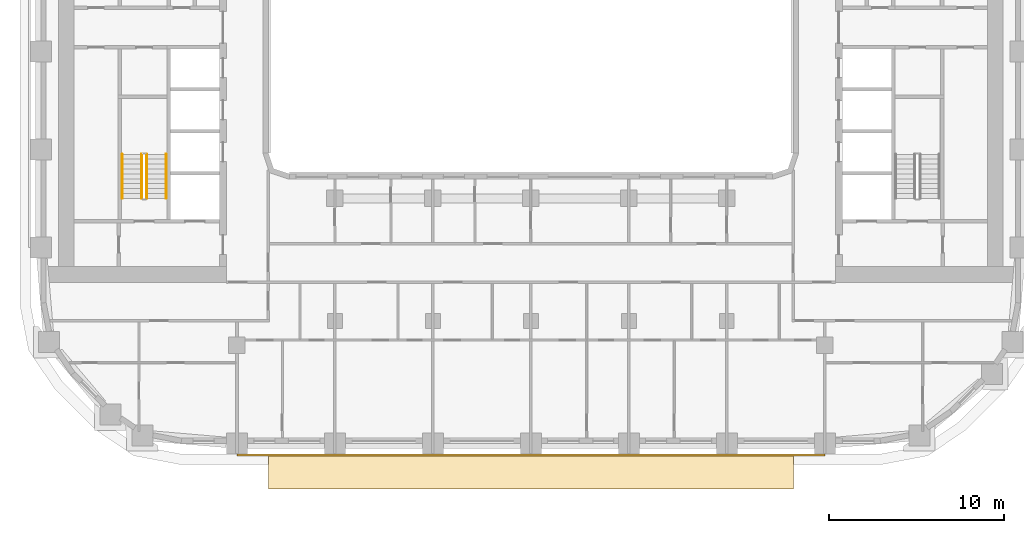
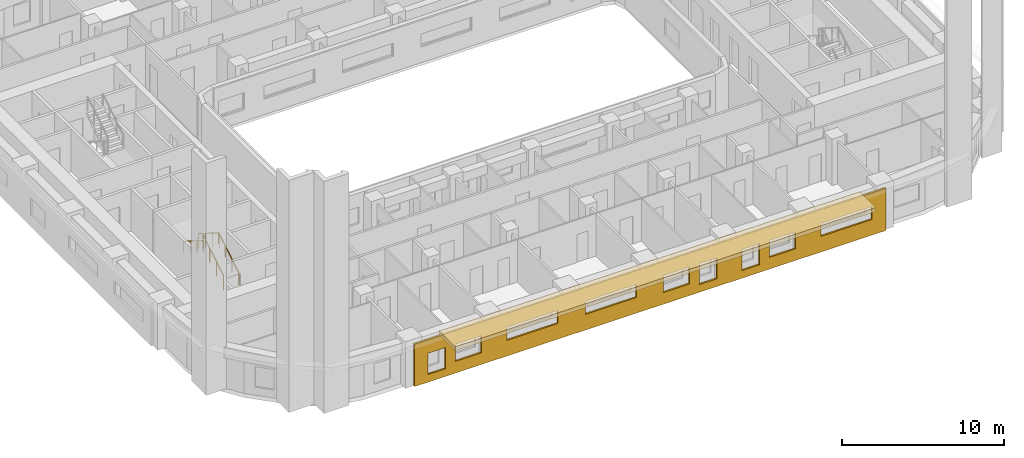
# One storey, part 13 of 23: 4 railings, 2 coverings.
"""IFC4 building model written with IfcOpenShell, lengths in metres."""

from ifc_helpers import new_model, si_unit, direction, frame, origin, origin_2d, place, context, subcontext, project, spatial, polyline, circle, outline, extrude, material, layer, layer_set, type_object, element, save


model = new_model("IFC4")

# Units and contexts
model_context = context("Model", 3, precision=1e-05, world=origin(), true_north=direction((0.0, 1.0)))
body_context = subcontext(model_context, "Body", "Model", "MODEL_VIEW")
ifc_project = project(units=[si_unit("LENGTHUNIT", "METRE"), si_unit("AREAUNIT", "SQUARE_METRE"), si_unit("VOLUMEUNIT", "CUBIC_METRE"), si_unit("PLANEANGLEUNIT", "RADIAN"), si_unit("MASSUNIT", "GRAM", prefix="KILO")], contexts=[model_context])

# Site, building, storey
site_placement = place(None, origin())
site = spatial("IfcSite", under=ifc_project, at=site_placement, CompositionType="ELEMENT")
building_placement = place(site_placement, origin())
building = spatial("IfcBuilding", under=site, at=building_placement, Name="Kiln Ring Residences", CompositionType="ELEMENT")
storey_placement = place(building_placement, frame((0.0, 0.0, 107.800048828125)))
storey = spatial("IfcBuildingStorey", under=building, at=storey_placement, Name="L27", CompositionType="ELEMENT", Elevation=107.800048828125)

# Railings
ifc_material_1 = material(Name="Stainless steel", Category="steel")
railing_type_1 = type_object("IfcRailingType", Name="CORE-STAIR-GUARD", PredefinedType="GUARDRAIL", material=ifc_material_1)
railing_1_placement = place(storey_placement, frame((-21.949951171875, -8.39990234375, 0.175048828125)))
element("IfcRailing", 1, at=railing_1_placement, inside=storey, type_object=railing_type_1, Name="L27 W-STS stair guard 1", PredefinedType="GUARDRAIL", context=body_context, shape_type="SweptSolid", body=[
    extrude(circle(Radius=0.02392578125, at=origin_2d()), frame((0.0, 0.0, 1.076171875), z_axis=(0.0, 0.848007534815, 0.529984170421), x_axis=(-1.0, 0.0, 0.0)), (0.0, 0.0, 1.0), 2.9716796875),
    extrude(circle(Radius=0.02099609375, at=origin_2d()), origin(), (0.0, 0.0, 1.0), 1.052001953125),
    extrude(circle(Radius=0.02099609375, at=origin_2d()), frame((0.0, 0.840087890625, 0.52490234375)), (0.0, 0.0, 1.0), 1.052001953125),
    extrude(circle(Radius=0.02099609375, at=origin_2d()), frame((0.0, 1.679931640625, 1.050048828125)), (0.0, 0.0, 1.0), 1.052001953125),
    extrude(circle(Radius=0.02099609375, at=origin_2d()), frame((0.0, 2.52001953125, 1.574951171875)), (0.0, 0.0, 1.0), 1.052001953125),
])
railing_2_placement = place(storey_placement, frame((-22.25, -5.8798828125, 1.925048828125)))
element("IfcRailing", 2, at=railing_2_placement, inside=storey, type_object=railing_type_1, Name="L27 W-STS stair guard 3", PredefinedType="GUARDRAIL", context=body_context, shape_type="SweptSolid", body=[
    extrude(circle(Radius=0.02392578125, at=origin_2d()), frame((0.0, 0.0, 1.076171875), z_axis=(0.0, -0.848007534815, 0.529984170421), x_axis=(1.0, 0.0, 0.0)), (0.0, 0.0, 1.0), 2.9716796875),
    extrude(circle(Radius=0.02099609375, at=origin_2d()), origin(), (0.0, 0.0, 1.0), 1.052001953125),
    extrude(circle(Radius=0.02099609375, at=origin_2d()), frame((0.0, -0.840087890625, 0.52490234375)), (0.0, 0.0, 1.0), 1.052001953125),
    extrude(circle(Radius=0.02099609375, at=origin_2d()), frame((0.0, -1.679931640625, 1.050048828125)), (0.0, 0.0, 1.0), 1.052001953125),
    extrude(circle(Radius=0.02099609375, at=origin_2d()), frame((0.0, -2.52001953125, 1.574951171875)), (0.0, 0.0, 1.0), 1.052001953125),
])
ifc_material_2 = material(Name="Stainless steel", Category="steel")
railing_type_2 = type_object("IfcRailingType", Name="CORE-STAIR-HANDRAIL", PredefinedType="HANDRAIL", material=ifc_material_2)
railing_3_placement = place(storey_placement, frame((-20.85009765625, -8.39990234375, 0.175048828125)))
element("IfcRailing", 3, at=railing_3_placement, inside=storey, type_object=railing_type_2, Name="L27 W-STS stair handrail 1", PredefinedType="HANDRAIL", context=body_context, shape_type="SweptSolid", body=[
    extrude(circle(Radius=0.02392578125, at=origin_2d()), frame((0.0, 0.0, 0.8759765625), z_axis=(0.0, 0.848007534815, 0.529984170421), x_axis=(-1.0, 0.0, 0.0)), (0.0, 0.0, 1.0), 2.9716796875),
    extrude(circle(Radius=0.02099609375, at=origin_2d()), origin(), (0.0, 0.0, 1.0), 0.851806640625),
    extrude(circle(Radius=0.02099609375, at=origin_2d()), frame((0.0, 0.840087890625, 0.52490234375)), (0.0, 0.0, 1.0), 0.851806640625),
    extrude(circle(Radius=0.02099609375, at=origin_2d()), frame((0.0, 1.679931640625, 1.050048828125)), (0.0, 0.0, 1.0), 0.851806640625),
    extrude(circle(Radius=0.02099609375, at=origin_2d()), frame((0.0, 2.52001953125, 1.574951171875)), (0.0, 0.0, 1.0), 0.851806640625),
])
railing_4_placement = place(storey_placement, frame((-23.35009765625, -5.8798828125, 1.925048828125)))
element("IfcRailing", 4, at=railing_4_placement, inside=storey, type_object=railing_type_2, Name="L27 W-STS stair handrail 2", PredefinedType="HANDRAIL", context=body_context, shape_type="SweptSolid", body=[
    extrude(circle(Radius=0.02392578125, at=origin_2d()), frame((0.0, 0.0, 0.8759765625), z_axis=(0.0, -0.848007534815, 0.529984170421), x_axis=(1.0, 0.0, 0.0)), (0.0, 0.0, 1.0), 2.9716796875),
    extrude(circle(Radius=0.02099609375, at=origin_2d()), origin(), (0.0, 0.0, 1.0), 0.851806640625),
    extrude(circle(Radius=0.02099609375, at=origin_2d()), frame((0.0, -0.840087890625, 0.52490234375)), (0.0, 0.0, 1.0), 0.851806640625),
    extrude(circle(Radius=0.02099609375, at=origin_2d()), frame((0.0, -1.679931640625, 1.050048828125)), (0.0, 0.0, 1.0), 0.851806640625),
    extrude(circle(Radius=0.02099609375, at=origin_2d()), frame((0.0, -2.52001953125, 1.574951171875)), (0.0, 0.0, 1.0), 0.851806640625),
])

# Coverings
ifc_material_3 = material(Name="Brick masonry, dark clay brick", Category="masonry")
ifc_layer_1 = layer(ifc_material_3, 0.1201171875)
ifc_layer_set_1 = layer_set([ifc_layer_1], Name="RAINSCREEN PANEL 120")
covering_type_1 = type_object("IfcCoveringType", Name="RAINSCREEN PANEL 120", PredefinedType="CLADDING", material=ifc_layer_set_1)
covering_1_placement = place(storey_placement, frame((-16.800048828125, -23.06005859375, 0.0), z_axis=(0.0, 0.0, 1.0), x_axis=(1.0, 0.0, 0.0)))
element("IfcCovering", 5, at=covering_1_placement, inside=storey, type_object=covering_type_1, Name="RAINSCREEN L27", PredefinedType="CLADDING", context=body_context, shape_type="SweptSolid", body=[
    extrude(outline(polyline([(0.0, 0.0), (33.60009765625, 0.0), (33.60009765625, 3.199951171875), (0.0, 3.199951171875), (0.0, 0.0)]), holes=[polyline([(0.9423828125, 0.579833984375), (2.1826171875, 0.579833984375), (2.1826171875, 2.169921875), (0.9423828125, 2.169921875), (0.9423828125, 0.579833984375)]), polyline([(20.3173828125, 0.579833984375), (21.5576171875, 0.579833984375), (21.5576171875, 2.169921875), (20.3173828125, 2.169921875), (20.3173828125, 0.579833984375)]), polyline([(23.342529296875, 0.579833984375), (24.58251953125, 0.579833984375), (24.58251953125, 2.169921875), (23.342529296875, 2.169921875), (23.342529296875, 0.579833984375)]), polyline([(2.91748046875, 0.8798828125), (4.757568359375, 0.8798828125), (4.757568359375, 2.169921875), (2.91748046875, 2.169921875), (2.91748046875, 0.8798828125)]), polyline([(17.742431640625, 0.8798828125), (19.58251953125, 0.8798828125), (19.58251953125, 2.169921875), (17.742431640625, 2.169921875), (17.742431640625, 0.8798828125)]), polyline([(25.3173828125, 0.8798828125), (27.157470703125, 0.8798828125), (27.157470703125, 2.169921875), (25.3173828125, 2.169921875), (25.3173828125, 0.8798828125)]), polyline([(6.580078125, 1.179931640625), (10.219970703125, 1.179931640625), (10.219970703125, 2.169921875), (6.580078125, 2.169921875), (6.580078125, 1.179931640625)]), polyline([(12.179931640625, 2.169921875), (12.179931640625, 1.179931640625), (15.820068359375, 1.179931640625), (15.820068359375, 2.169921875), (12.179931640625, 2.169921875)]), polyline([(28.97998046875, 2.169921875), (28.97998046875, 1.179931640625), (32.6201171875, 1.179931640625), (32.6201171875, 2.169921875), (28.97998046875, 2.169921875)])]), frame((0.0, 0.06005859375, 0.0), z_axis=(0.0, -1.0, 0.0), x_axis=(1.0, 0.0, 0.0)), (0.0, 0.0, 1.0), 0.1201171875),
])
ifc_material_4 = material(Name="Black powder-coated steel", Category="steel")
ifc_layer_2 = layer(ifc_material_4, 0.300048828125)
ifc_layer_set_2 = layer_set([ifc_layer_2], Name="SUNSHADE BAND 2000")
covering_type_2 = type_object("IfcCoveringType", Name="SUNSHADE BAND 2000", PredefinedType="CLADDING", material=ifc_layer_set_2)
covering_2_placement = place(storey_placement, frame((0.0, 0.0, 3.199951171875)))
element("IfcCovering", 6, at=covering_2_placement, inside=storey, type_object=covering_type_2, Name="SUNSHADE BAND L27", PredefinedType="CLADDING", context=body_context, shape_type="SweptSolid", body=[
    extrude(outline(polyline([(-15.0, -25.0), (15.0, -25.0), (15.0, -23.0), (-15.0, -23.0), (-15.0, -25.0)])), origin(), (0.0, 0.0, 1.0), 0.300048828125),
])

save(model, "model.ifc")
